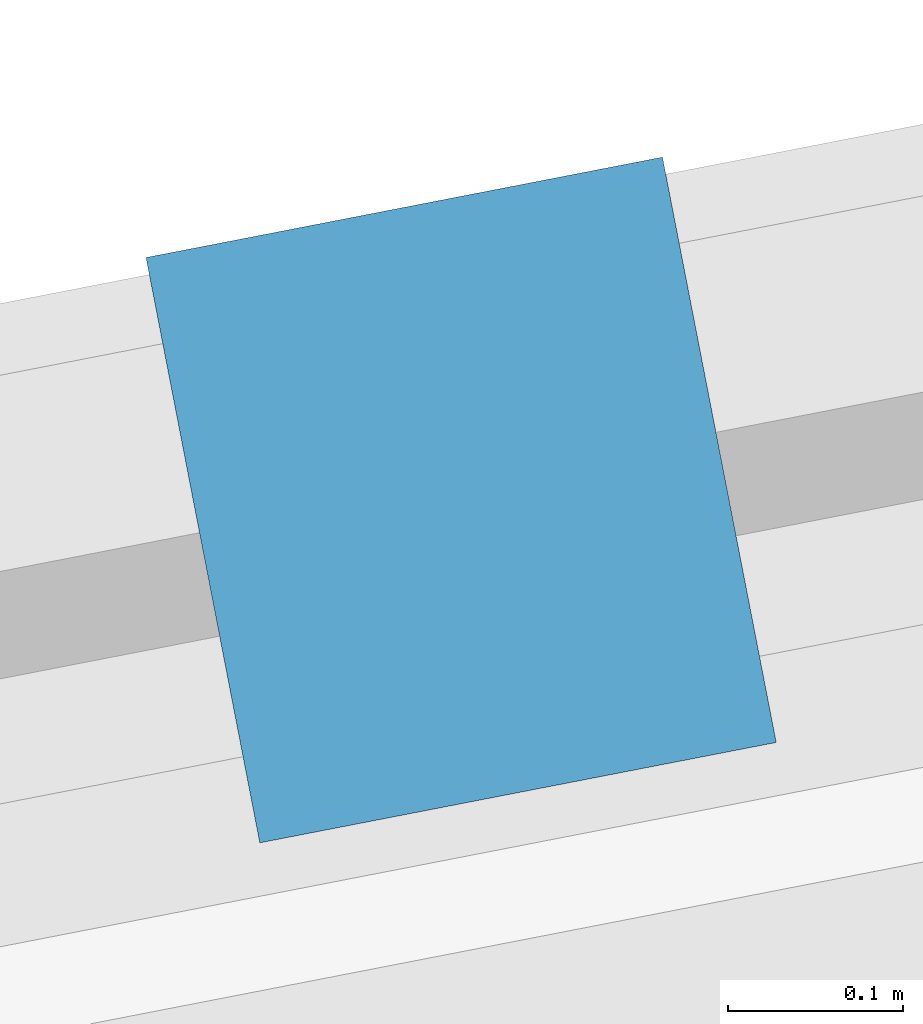
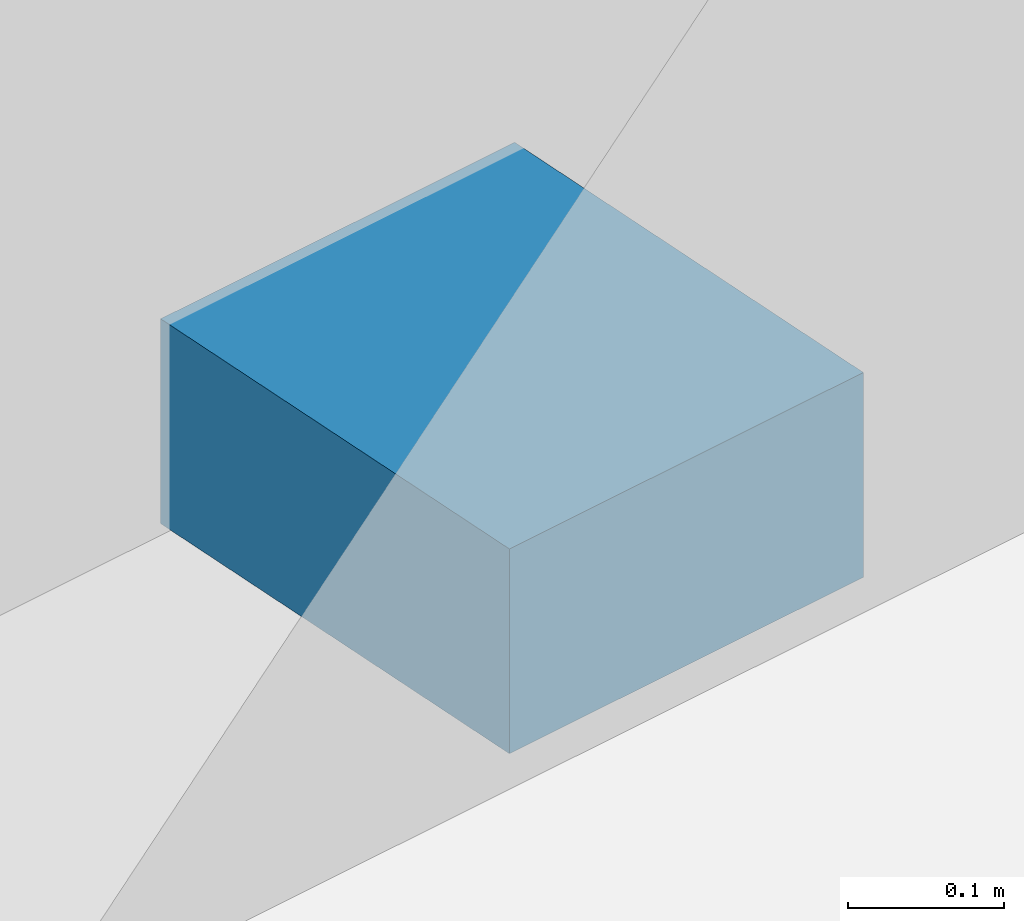
# One storey, part 6 of 9: 1 discrete accessory.
"""IFC4 building model written with IfcOpenShell, lengths in metres."""

from ifc_helpers import new_model, si_unit, direction, frame, origin, origin_2d, place, context, subcontext, project, spatial, rectangle, extrude, material, type_object, element, save


model = new_model("IFC4")

# Units and contexts
model_context = context("Model", 3, precision=1e-05, world=origin(), true_north=direction((0.0, 1.0)))
body_context = subcontext(model_context, "Body", "Model", "MODEL_VIEW")
ifc_project = project(units=[si_unit("LENGTHUNIT", "METRE"), si_unit("AREAUNIT", "SQUARE_METRE"), si_unit("VOLUMEUNIT", "CUBIC_METRE"), si_unit("PLANEANGLEUNIT", "RADIAN"), si_unit("MASSUNIT", "GRAM", prefix="KILO")], contexts=[model_context])

# Site, building, storey
site_placement = place(None, origin())
site = spatial("IfcSite", under=ifc_project, at=site_placement, CompositionType="ELEMENT")
building_placement = place(site_placement, origin())
building = spatial("IfcBuilding", under=site, at=building_placement, Name="Qhalaya Broadcast Tower", CompositionType="ELEMENT")
storey_placement = place(building_placement, frame((0.0, 0.0, 134.14990234375)))
storey = spatial("IfcBuildingStorey", under=building, at=storey_placement, Name="L39", CompositionType="ELEMENT", Elevation=134.14990234375)

# Discrete accessory
ifc_material = material(Name="Structural Steel ASTM A572 Grade 50", Category="steel")
discrete_accessory_type = type_object("IfcDiscreteAccessoryType", Name="Facade Baguette Support Bracket BRK-01", PredefinedType="BRACKET", material=ifc_material)
discrete_accessory_placement = place(storey_placement, frame((-4.337158203125, 29.392333984375, 0.0), z_axis=(0.0, 0.0, 1.0), x_axis=(-0.981627183448, -0.190808995377, 0.0)))
element("IfcDiscreteAccessory", 1, at=discrete_accessory_placement, inside=storey, type_object=discrete_accessory_type, Name="L39 Baguette Support Bracket N", PredefinedType="BRACKET", context=body_context, shape_type="SweptSolid", body=[
    extrude(rectangle(XDim=0.300048828125, YDim=0.340087890625, at=origin_2d()), origin(), (0.0, 0.0, 1.0), 0.159912109375),
])

save(model, "model.ifc")
